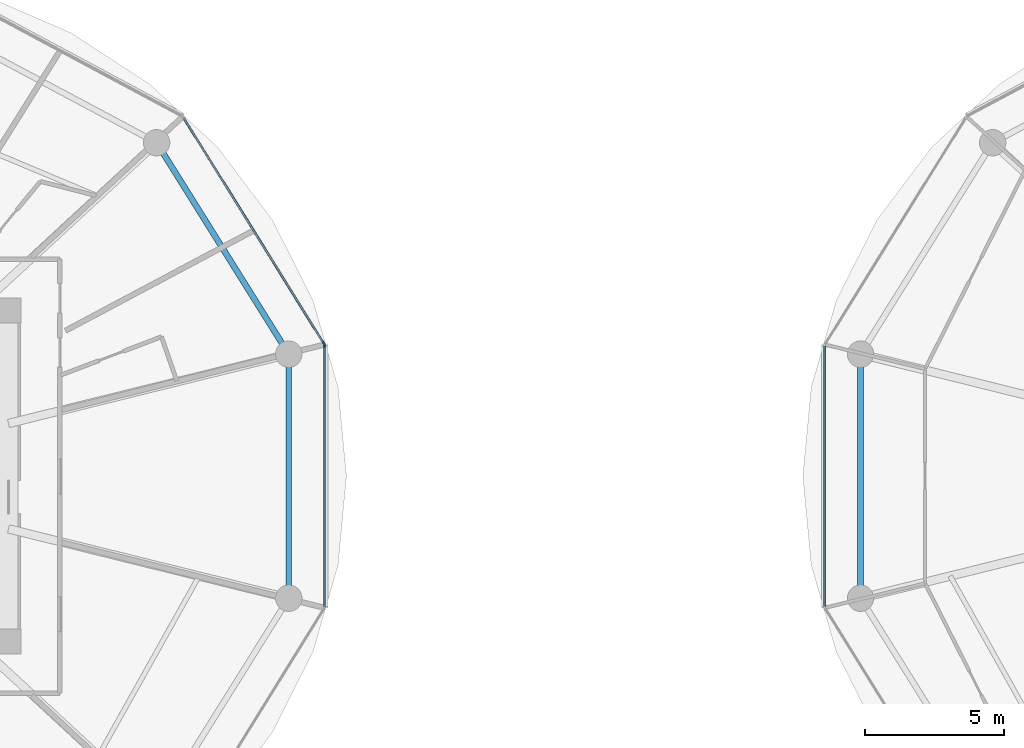
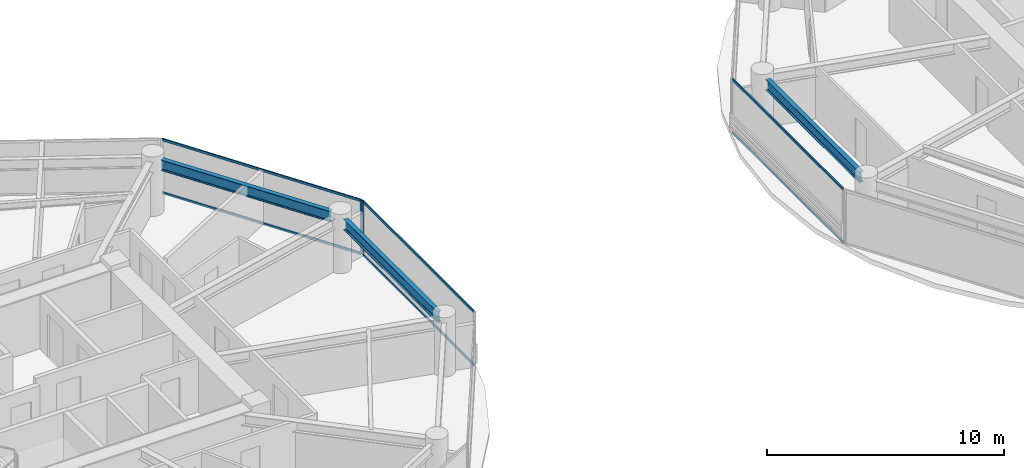
# One storey, part 7 of 27: 8 members, 3 beams, 3 elements without a shape of their own.
"""IFC4 building model written with IfcOpenShell, lengths in metres."""

from ifc_helpers import new_model, si_unit, direction, frame, origin, origin_2d, place, context, subcontext, project, spatial, rectangle, i_section, extrude, source, transform, mapped, material, layer, layer_set, material_profile, profile_set, type_object, type_shapes, element, aggregate, save


model = new_model("IFC4")

# Units and contexts
model_context = context("Model", 3, precision=1e-05, world=origin(), true_north=direction((0.0, 1.0)))
body_context = subcontext(model_context, "Body", "Model", "MODEL_VIEW")
ifc_project = project(units=[si_unit("LENGTHUNIT", "METRE"), si_unit("AREAUNIT", "SQUARE_METRE"), si_unit("VOLUMEUNIT", "CUBIC_METRE"), si_unit("PLANEANGLEUNIT", "RADIAN"), si_unit("MASSUNIT", "GRAM", prefix="KILO")], contexts=[model_context])

# Site, building, storey
site_placement = place(None, origin())
site = spatial("IfcSite", under=ifc_project, at=site_placement, CompositionType="ELEMENT")
building_placement = place(site_placement, origin())
building = spatial("IfcBuilding", under=site, at=building_placement, Name="Norrkilde Senior Care Towers", CompositionType="ELEMENT")
storey_placement = place(building_placement, frame((0.0, 0.0, 46.0)))
storey = spatial("IfcBuildingStorey", under=building, at=storey_placement, Name="L13", CompositionType="ELEMENT", Elevation=46.0)

# Beams
ifc_material_1 = material(Name="Steel S355", Category="steel")
ifc_material_profile_1 = material_profile(ifc_material_1, i_section(OverallWidth=0.2099609375, OverallDepth=0.550048828125, WebThickness=0.010986328125, FlangeThickness=0.01708984375, FilletRadius=0.02392578125, at=origin_2d()), Name="IPE 550")
ifc_profile_set_1 = profile_set([ifc_material_profile_1], Name="Steel S355")
beam_type = type_object("IfcBeamType", Name="Perimeter Ring Spandrel Z1 IPE550", PredefinedType="SPANDREL", material=ifc_profile_set_1)
shared_shape_1 = source(origin(), body_context, "Body", "SweptSolid", [
    extrude(i_section(OverallWidth=0.2099609375, OverallDepth=0.550048828125, WebThickness=0.010986328125, FlangeThickness=0.01708984375, FilletRadius=0.02392578125, at=origin_2d()), origin(), (0.0, 0.0, 1.0), 8.090576171875),
])
beam_placement = place(storey_placement, frame((-10.505859375, 4.755859375, 2.514892578125), z_axis=(-0.530004364821, 0.84799491347, 0.0), x_axis=(-0.84799491347, -0.530004364821, 0.0)))
element("IfcBeam", 1, at=beam_placement, inside=storey, type_object=beam_type, Name="L13 Drum W Perimeter Spandrel 01", PredefinedType="SPANDREL", context=body_context, shape_type="MappedRepresentation", body=[
    mapped(shared_shape_1, transform((0.0, 0.0, 0.0), x_axis=(1.0, 0.0, 0.0), y_axis=(0.0, 1.0, 0.0), z_axis=(0.0, 0.0, 1.0), scale=1.0)),
])
shared_shape_2 = source(origin(), body_context, "Body", "SweptSolid", [
    extrude(i_section(OverallWidth=0.2099609375, OverallDepth=0.550048828125, WebThickness=0.010986328125, FlangeThickness=0.01708984375, FilletRadius=0.02392578125, at=origin_2d()), origin(), (0.0, 0.0, 1.0), 7.90380859375),
])
type_shapes(beam_type, [shared_shape_1, shared_shape_2])
for number, where, z_axis, x_axis, name in (
    (2, (-10.275146484375, -3.951904296875, 2.514892578125), (0.0, 1.0, 0.0), (-1.0, 0.0, 0.0), "L13 Drum W Perimeter Spandrel 12"),
    (3, (10.275146484375, 3.951904296875, 2.514892578125), (0.0, -1.0, 0.0), (1.0, 0.0, 0.0), "L13 Drum E Perimeter Spandrel 06"),
):
    element("IfcBeam", number, at=place(storey_placement, frame(where, z_axis=z_axis, x_axis=x_axis)), inside=storey, type_object=beam_type, Name=name, PredefinedType="SPANDREL", context=body_context, shape_type="MappedRepresentation", body=[
        mapped(shared_shape_2, transform((0.0, 0.0, 0.0), x_axis=(1.0, 0.0, 0.0), y_axis=(0.0, 1.0, 0.0), z_axis=(0.0, 0.0, 1.0), scale=1.0)),
    ])

# Curtain wall, member
ifc_material_2 = material(Name="Triple Low-E Insulated Glazing", Category="glass")
ifc_layer = layer(ifc_material_2, 0.199951171875)
ifc_layer_set = layer_set([ifc_layer], Name="Triple Low-E Insulated Glazing")
curtain_wall_type = type_object("IfcCurtainWallType", Name="CW2 Zone 1 Memory Care Curtain Wall", PredefinedType="NOTDEFINED", material=ifc_layer_set)
curtain_wall_1_placement = place(storey_placement, origin())
curtain_wall_1 = element("IfcCurtainWall", 4, at=curtain_wall_1_placement, inside=storey, type_object=curtain_wall_type, Name="L13 Drum W Curtain Wall 00", PredefinedType="NOTDEFINED")
ifc_material_3 = material(Name="Anodised Aluminium", Category="aluminium")
ifc_material_profile_2 = material_profile(ifc_material_3, rectangle(XDim=0.06494140625, YDim=0.159912109375, at=origin_2d()), Name="ALU MULL 65x160")
ifc_profile_set_2 = profile_set([ifc_material_profile_2], Name="Anodised Aluminium")
member_type_1 = type_object("IfcMemberType", Name="Curtain Wall Mullion Z1-Z2 65x160", PredefinedType="MULLION", material=ifc_profile_set_2)
shared_shape_3 = source(origin(), body_context, "Body", "SweptSolid", [
    extrude(rectangle(XDim=0.06494140625, YDim=0.159912109375, at=origin_2d()), origin(), (0.0, 0.0, 1.0), 2.7900390625),
])
type_shapes(member_type_1, [shared_shape_3])
member_1_placement = place(storey_placement, frame((-9.0078125, 4.7587890625, 0.0), z_axis=(0.0, 0.0, 1.0), x_axis=(0.849305943117, 0.527900951871, 0.0)))
member_1 = element("IfcMember", 5, at=member_1_placement, type_object=member_type_1, Name="CW-2 mullion 2", PredefinedType="MULLION", context=body_context, shape_type="MappedRepresentation", body=[
    mapped(shared_shape_3, transform((0.0, 0.0, 0.0), x_axis=(1.0, 0.0, 0.0), y_axis=(0.0, 1.0, 0.0), z_axis=(0.0, 0.0, 1.0), scale=1.0)),
])

curtain_wall_2_placement = place(storey_placement, origin())
curtain_wall_2 = element("IfcCurtainWall", 6, at=curtain_wall_2_placement, inside=storey, type_object=curtain_wall_type, Name="L13 Drum W Curtain Wall 11", PredefinedType="NOTDEFINED")
member_2_placement = place(storey_placement, frame((-8.990478515625, 4.69873046875, 0.0), z_axis=(0.0, 0.0, 1.0), x_axis=(1.0, 0.0, 0.0)))
member_2 = element("IfcMember", 7, at=member_2_placement, type_object=member_type_1, Name="CW-2 mullion 1", PredefinedType="MULLION", context=body_context, shape_type="MappedRepresentation", body=[
    mapped(shared_shape_3, transform((0.0, 0.0, 0.0), x_axis=(1.0, 0.0, 0.0), y_axis=(0.0, 1.0, 0.0), z_axis=(0.0, 0.0, 1.0), scale=1.0)),
])

# Member
ifc_material_profile_3 = material_profile(ifc_material_3, rectangle(XDim=0.06005859375, YDim=0.1201171875, at=origin_2d()), Name="ALU TRAN 60x120")
ifc_profile_set_3 = profile_set([ifc_material_profile_3], Name="Anodised Aluminium")
member_type_2 = type_object("IfcMemberType", Name="Curtain Wall Transom Typical 60x120", PredefinedType="USERDEFINED", material=ifc_profile_set_3)
shared_shape_4 = source(origin(), body_context, "Body", "SweptSolid", [
    extrude(rectangle(XDim=0.06005859375, YDim=0.1201171875, at=origin_2d()), origin(), (0.0, 0.0, 1.0), 9.5185546875),
])
member_3_placement = place(storey_placement, frame((-14.0498046875, 12.87060546875, 0.030029296875), z_axis=(0.527901620669, -0.849305527413, 0.0), x_axis=(0.849305527413, 0.527901620669, 0.0)))
member_3 = element("IfcMember", 8, at=member_3_placement, type_object=member_type_2, Name="CW-2 transom 1.1", ObjectType="TRANSOM", PredefinedType="USERDEFINED", context=body_context, shape_type="MappedRepresentation", body=[
    mapped(shared_shape_4, transform((0.0, 0.0, 0.0), x_axis=(1.0, 0.0, 0.0), y_axis=(0.0, 1.0, 0.0), z_axis=(0.0, 0.0, 1.0), scale=1.0)),
])

member_4_placement = place(storey_placement, frame((-14.0498046875, 12.87060546875, 2.760009765625), z_axis=(0.527901620669, -0.849305527413, 0.0), x_axis=(0.849305527413, 0.527901620669, 0.0)))
member_4 = element("IfcMember", 9, at=member_4_placement, type_object=member_type_2, Name="CW-2 transom 1.2", ObjectType="TRANSOM", PredefinedType="USERDEFINED", context=body_context, shape_type="MappedRepresentation", body=[
    mapped(shared_shape_4, transform((0.0, 0.0, 0.0), x_axis=(1.0, 0.0, 0.0), y_axis=(0.0, 1.0, 0.0), z_axis=(0.0, 0.0, 1.0), scale=1.0)),
])

aggregate(curtain_wall_1, [member_1, member_3, member_4])

shared_shape_5 = source(origin(), body_context, "Body", "SweptSolid", [
    extrude(rectangle(XDim=0.06005859375, YDim=0.1201171875, at=origin_2d()), origin(), (0.0, 0.0, 1.0), 9.33251953125),
])
type_shapes(member_type_2, [shared_shape_4, shared_shape_5])
member_5_placement = place(storey_placement, frame((-8.990478515625, 4.666259765625, 0.030029296875), z_axis=(0.0, -1.0, 0.0), x_axis=(1.0, 0.0, 0.0)))
member_5 = element("IfcMember", 10, at=member_5_placement, type_object=member_type_2, Name="CW-2 transom 1.1", ObjectType="TRANSOM", PredefinedType="USERDEFINED", context=body_context, shape_type="MappedRepresentation", body=[
    mapped(shared_shape_5, transform((0.0, 0.0, 0.0), x_axis=(1.0, 0.0, 0.0), y_axis=(0.0, 1.0, 0.0), z_axis=(0.0, 0.0, 1.0), scale=1.0)),
])

member_6_placement = place(storey_placement, frame((-8.990478515625, 4.666259765625, 2.760009765625), z_axis=(0.0, -1.0, 0.0), x_axis=(1.0, 0.0, 0.0)))
member_6 = element("IfcMember", 11, at=member_6_placement, type_object=member_type_2, Name="CW-2 transom 1.2", ObjectType="TRANSOM", PredefinedType="USERDEFINED", context=body_context, shape_type="MappedRepresentation", body=[
    mapped(shared_shape_5, transform((0.0, 0.0, 0.0), x_axis=(1.0, 0.0, 0.0), y_axis=(0.0, 1.0, 0.0), z_axis=(0.0, 0.0, 1.0), scale=1.0)),
])

aggregate(curtain_wall_2, [member_2, member_5, member_6])

# Curtain wall, members
curtain_wall_3_placement = place(storey_placement, origin())
curtain_wall_3 = element("IfcCurtainWall", 12, at=curtain_wall_3_placement, inside=storey, type_object=curtain_wall_type, Name="L13 Drum E Curtain Wall 05", PredefinedType="NOTDEFINED")
member_7_placement = place(storey_placement, frame((8.990478515625, -4.666259765625, 0.030029296875), z_axis=(0.0, 1.0, 0.0), x_axis=(-1.0, 0.0, 0.0)))
member_7 = element("IfcMember", 13, at=member_7_placement, type_object=member_type_2, Name="CW-2 transom 1.1", ObjectType="TRANSOM", PredefinedType="USERDEFINED", context=body_context, shape_type="MappedRepresentation", body=[
    mapped(shared_shape_5, transform((0.0, 0.0, 0.0), x_axis=(1.0, 0.0, 0.0), y_axis=(0.0, 1.0, 0.0), z_axis=(0.0, 0.0, 1.0), scale=1.0)),
])
member_8_placement = place(storey_placement, frame((8.990478515625, -4.666259765625, 2.760009765625), z_axis=(0.0, 1.0, 0.0), x_axis=(-1.0, 0.0, 0.0)))
member_8 = element("IfcMember", 14, at=member_8_placement, type_object=member_type_2, Name="CW-2 transom 1.2", ObjectType="TRANSOM", PredefinedType="USERDEFINED", context=body_context, shape_type="MappedRepresentation", body=[
    mapped(shared_shape_5, transform((0.0, 0.0, 0.0), x_axis=(1.0, 0.0, 0.0), y_axis=(0.0, 1.0, 0.0), z_axis=(0.0, 0.0, 1.0), scale=1.0)),
])
aggregate(curtain_wall_3, [member_7, member_8])

save(model, "model.ifc")
